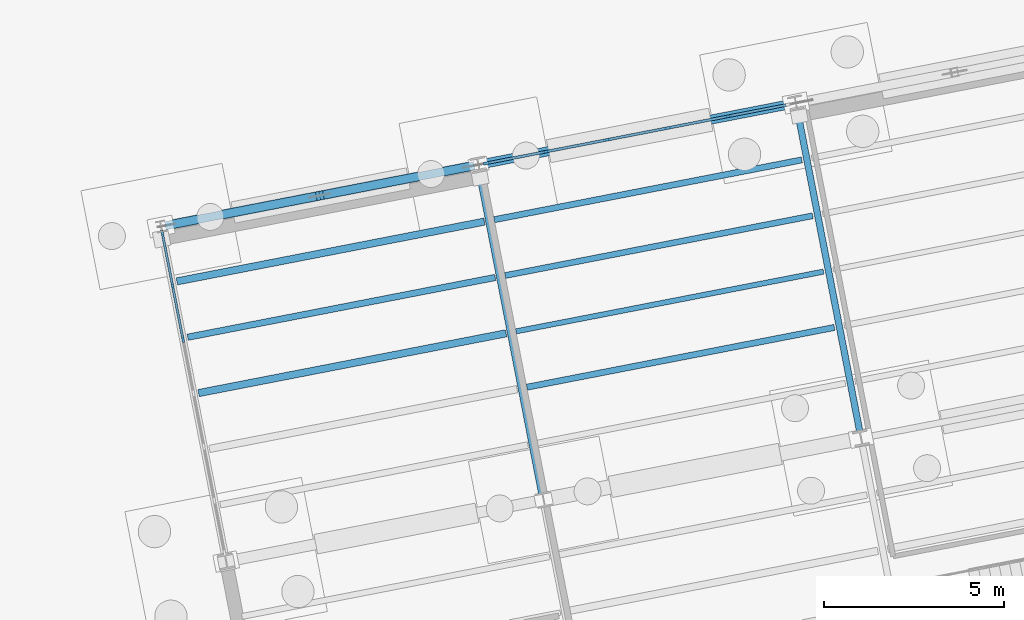
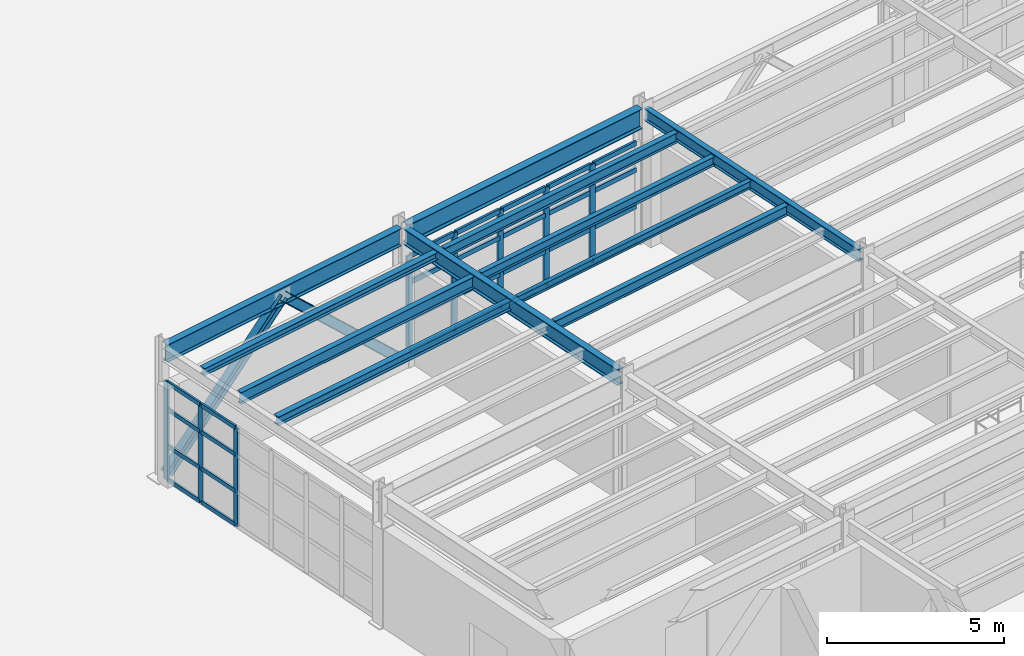
# One storey, part 36 of 108: 38 members, 11 beams, 2 elements without a shape of their own.
"""IFC4 building model written with IfcOpenShell, lengths in metres."""

from ifc_helpers import new_model, si_unit, direction, frame, origin, origin_2d, place, context, subcontext, project, spatial, rectangle, i_section, extrude, material, layer, layer_set, material_profile, profile_set, type_object, element, aggregate, save


model = new_model("IFC4")

# Units and contexts
model_context = context("Model", 3, precision=1e-05, world=origin(), true_north=direction((0.0, 1.0)))
body_context = subcontext(model_context, "Body", "Model", "MODEL_VIEW")
ifc_project = project(units=[si_unit("LENGTHUNIT", "METRE"), si_unit("AREAUNIT", "SQUARE_METRE"), si_unit("VOLUMEUNIT", "CUBIC_METRE"), si_unit("PLANEANGLEUNIT", "RADIAN"), si_unit("MASSUNIT", "GRAM", prefix="KILO")], contexts=[model_context])

# Site, building, storey
site_placement = place(None, origin())
site = spatial("IfcSite", under=ifc_project, at=site_placement, CompositionType="ELEMENT")
building_placement = place(site_placement, origin())
building = spatial("IfcBuilding", under=site, at=building_placement, Name="Vireo Bluff Cable Station", CompositionType="ELEMENT")
storey_placement = place(building_placement, origin())
storey = spatial("IfcBuildingStorey", under=building, at=storey_placement, Name="L00", CompositionType="ELEMENT", Elevation=0.0)

# Beams
ifc_material_1 = material(Name="Steel ASTM A992 Gr. 50", Category="steel")
ifc_material_profile_1 = material_profile(ifc_material_1, i_section(OverallWidth=0.180908203125, OverallDepth=0.4169921875, WebThickness=0.010986328125, FlangeThickness=0.018310546875, FilletRadius=0.010009765625, at=origin_2d()), Name="W16X57")
ifc_profile_set_1 = profile_set([ifc_material_profile_1], Name="Steel ASTM A992 Gr. 50")
beam_type_1 = type_object("IfcBeamType", Name="BM-W16X57", PredefinedType="BEAM", material=ifc_profile_set_1)
beam_1_placement = place(storey_placement, frame((23.52099609375, 27.703369140625, 4.33154296875), z_axis=(-0.190804735679, 0.981628011439, 0.0), x_axis=(-0.981628011439, -0.190804735679, 0.0)))
element("IfcBeam", 1, at=beam_1_placement, inside=storey, type_object=beam_type_1, Name="V5 L00 beam 1114", PredefinedType="BEAM", context=body_context, shape_type="SweptSolid", body=[
    extrude(i_section(OverallWidth=0.180908203125, OverallDepth=0.4169921875, WebThickness=0.010986328125, FlangeThickness=0.018310546875, FilletRadius=0.010009765625, at=origin_2d()), origin(), (0.0, 0.0, 1.0), 9.260009765625),
])
ifc_material_profile_2 = material_profile(ifc_material_1, i_section(OverallWidth=0.214111328125, OverallDepth=0.549072265625, WebThickness=0.0146484375, FlangeThickness=0.023681640625, FilletRadius=0.012939453125, at=origin_2d()), Name="W21X93")
ifc_profile_set_2 = profile_set([ifc_material_profile_2], Name="Steel ASTM A992 Gr. 50")
beam_type_2 = type_object("IfcBeamType", Name="BM-W21X93", PredefinedType="BEAM", material=ifc_profile_set_2)
beam_2_placement = place(storey_placement, frame((14.686279296875, 25.986083984375, 4.265380859375), z_axis=(-0.190804735679, 0.981628011439, 0.0), x_axis=(-0.981628011439, -0.190804735679, 0.0)))
element("IfcBeam", 2, at=beam_2_placement, inside=storey, type_object=beam_type_2, Name="V5 L00 beam 1111", PredefinedType="BEAM", context=body_context, shape_type="SweptSolid", body=[
    extrude(i_section(OverallWidth=0.214111328125, OverallDepth=0.549072265625, WebThickness=0.0146484375, FlangeThickness=0.023681640625, FilletRadius=0.012939453125, at=origin_2d()), origin(), (0.0, 0.0, 1.0), 9.260009765625),
])

# Members
ifc_material_profile_3 = material_profile(ifc_material_1, i_section(OverallWidth=0.25390625, OverallDepth=0.305908203125, WebThickness=0.0087890625, FlangeThickness=0.0146484375, FilletRadius=0.010986328125, at=origin_2d()), Name="W12X53")
ifc_profile_set_3 = profile_set([ifc_material_profile_3], Name="Steel ASTM A992 Gr. 50")
member_type_1 = type_object("IfcMemberType", Name="BRC-04", PredefinedType="BRACE", material=ifc_profile_set_3)
member_1_placement = place(storey_placement, frame((4.218994140625, 33.5068359375, 0.0400390625), z_axis=(0.710296245471, 0.138070192816, 0.690228850111), x_axis=(-0.190812443151, 0.981626513262, 0.0)))
element("IfcMember", 3, at=member_1_placement, inside=storey, type_object=member_type_1, Name="V5 L00 concentric brace 87L", PredefinedType="BRACE", context=body_context, shape_type="SweptSolid", body=[
    extrude(i_section(OverallWidth=0.25390625, OverallDepth=0.305908203125, WebThickness=0.0087890625, FlangeThickness=0.0146484375, FilletRadius=0.010986328125, at=origin_2d()), origin(), (0.0, 0.0, 1.0), 5.997802734375),
])
ifc_material_profile_4 = material_profile(ifc_material_1, i_section(OverallWidth=0.25390625, OverallDepth=0.31005859375, WebThickness=0.009033203125, FlangeThickness=0.016357421875, FilletRadius=0.010986328125, at=origin_2d()), Name="W12X58")
ifc_profile_set_4 = profile_set([ifc_material_profile_4], Name="Steel ASTM A992 Gr. 50")
member_type_2 = type_object("IfcMemberType", Name="BRC-05", PredefinedType="BRACE", material=ifc_profile_set_4)
member_2_placement = place(storey_placement, frame((12.739501953125, 35.1630859375, 0.0400390625), z_axis=(-0.710296245471, -0.138070192816, 0.690228850111), x_axis=(0.190812443151, -0.981626513262, 0.0)))
element("IfcMember", 4, at=member_2_placement, inside=storey, type_object=member_type_2, Name="V5 L00 concentric brace 88R", PredefinedType="BRACE", context=body_context, shape_type="SweptSolid", body=[
    extrude(i_section(OverallWidth=0.25390625, OverallDepth=0.31005859375, WebThickness=0.009033203125, FlangeThickness=0.016357421875, FilletRadius=0.010986328125, at=origin_2d()), origin(), (0.0, 0.0, 1.0), 5.997802734375),
])

# Curtain wall, members
ifc_material_2 = material(Name="Anodized Aluminium 6063-T6", Category="aluminium")
ifc_layer_1 = layer(ifc_material_2, 0.179931640625, Name="Anodized Aluminium 6063-T6")
ifc_layer_set_1 = layer_set([ifc_layer_1], Name="Anodized Aluminium 6063-T6")
curtain_wall_type_1 = type_object("IfcCurtainWallType", Name="CW-UNIT-1500", PredefinedType="USERDEFINED", material=ifc_layer_set_1)
curtain_wall_1_placement = place(storey_placement, origin())
curtain_wall_1 = element("IfcCurtainWall", 5, at=curtain_wall_1_placement, inside=storey, type_object=curtain_wall_type_1, Name="V5 L00 west curtain wall CW-112", ObjectType="UNITISED CURTAIN WALL", PredefinedType="USERDEFINED")
ifc_material_profile_5 = material_profile(ifc_material_2, rectangle(XDim=0.06494140625, YDim=0.179931640625, at=origin_2d()), Name="ALU-M-65X180")
ifc_profile_set_5 = profile_set([ifc_material_profile_5], Name="Anodized Aluminium 6063-T6")
member_type_3 = type_object("IfcMemberType", Name="CWM-01", PredefinedType="MULLION", material=ifc_profile_set_5)
member_3_placement = place(storey_placement, frame((4.672607421875, 30.33544921875, 0.0), z_axis=(0.0, 0.0, 1.0), x_axis=(-0.98162718066, -0.190809009717, 0.0)))
member_3 = element("IfcMember", 6, at=member_3_placement, type_object=member_type_3, Name="CW-112 mullion 5", PredefinedType="MULLION", context=body_context, shape_type="SweptSolid", body=[
    extrude(rectangle(XDim=0.06494140625, YDim=0.179931640625, at=origin_2d()), origin(), (0.0, 0.0, 1.0), 3.39990234375),
])
member_4_placement = place(storey_placement, frame((4.382080078125, 31.829833984375, 0.0), z_axis=(0.0, 0.0, 1.0), x_axis=(-0.98162718066, -0.190809009717, 0.0)))
member_4 = element("IfcMember", 7, at=member_4_placement, type_object=member_type_3, Name="CW-112 mullion 6", PredefinedType="MULLION", context=body_context, shape_type="SweptSolid", body=[
    extrude(rectangle(XDim=0.06494140625, YDim=0.179931640625, at=origin_2d()), origin(), (0.0, 0.0, 1.0), 3.39990234375),
])
member_5_placement = place(storey_placement, frame((4.09765625, 33.292236328125, 0.0), z_axis=(0.0, 0.0, 1.0), x_axis=(-0.98162718066, -0.190809009717, 0.0)))
member_5 = element("IfcMember", 8, at=member_5_placement, type_object=member_type_3, Name="CW-112 mullion 7", PredefinedType="MULLION", context=body_context, shape_type="SweptSolid", body=[
    extrude(rectangle(XDim=0.06494140625, YDim=0.179931640625, at=origin_2d()), origin(), (0.0, 0.0, 1.0), 3.39990234375),
])

ifc_layer_2 = layer(ifc_material_2, 0.179931640625, Name="Anodized Aluminium 6063-T6")
ifc_layer_set_2 = layer_set([ifc_layer_2], Name="Anodized Aluminium 6063-T6")
curtain_wall_type_2 = type_object("IfcCurtainWallType", Name="CW-UNIT-1650", PredefinedType="USERDEFINED", material=ifc_layer_set_2)
curtain_wall_2_placement = place(storey_placement, origin())
curtain_wall_2 = element("IfcCurtainWall", 9, at=curtain_wall_2_placement, inside=storey, type_object=curtain_wall_type_2, Name="V5 L00 north curtain wall CW-113", ObjectType="UNITISED CURTAIN WALL", PredefinedType="USERDEFINED")
ifc_material_profile_6 = material_profile(ifc_material_2, rectangle(XDim=0.074951171875, YDim=0.2099609375, at=origin_2d()), Name="ALU-M-75X210")
ifc_profile_set_6 = profile_set([ifc_material_profile_6], Name="Anodized Aluminium 6063-T6")
member_type_4 = type_object("IfcMemberType", Name="CWM-02", PredefinedType="MULLION", material=ifc_profile_set_6)
member_6_placement = place(storey_placement, frame((13.134521484375, 35.239990234375, 0.0), z_axis=(0.0, 0.0, 1.0), x_axis=(-0.190808975057, 0.981627187397, 0.0)))
member_6 = element("IfcMember", 10, at=member_6_placement, type_object=member_type_4, Name="CW-113 mullion 1", PredefinedType="MULLION", context=body_context, shape_type="SweptSolid", body=[
    extrude(rectangle(XDim=0.074951171875, YDim=0.2099609375, at=origin_2d()), origin(), (0.0, 0.0, 1.0), 3.39990234375),
])
member_7_placement = place(storey_placement, frame((14.78466796875, 35.560791015625, 0.0), z_axis=(0.0, 0.0, 1.0), x_axis=(-0.190808975057, 0.981627187397, 0.0)))
member_7 = element("IfcMember", 11, at=member_7_placement, type_object=member_type_4, Name="CW-113 mullion 2", PredefinedType="MULLION", context=body_context, shape_type="SweptSolid", body=[
    extrude(rectangle(XDim=0.074951171875, YDim=0.2099609375, at=origin_2d()), origin(), (0.0, 0.0, 1.0), 3.39990234375),
])
member_8_placement = place(storey_placement, frame((16.4716796875, 35.888671875, 0.0), z_axis=(0.0, 0.0, 1.0), x_axis=(-0.190808975057, 0.981627187397, 0.0)))
member_8 = element("IfcMember", 12, at=member_8_placement, type_object=member_type_4, Name="CW-113 mullion 3", PredefinedType="MULLION", context=body_context, shape_type="SweptSolid", body=[
    extrude(rectangle(XDim=0.074951171875, YDim=0.2099609375, at=origin_2d()), origin(), (0.0, 0.0, 1.0), 3.39990234375),
])
member_9_placement = place(storey_placement, frame((18.15869140625, 36.216552734375, 0.0), z_axis=(0.0, 0.0, 1.0), x_axis=(-0.190808975057, 0.981627187397, 0.0)))
member_9 = element("IfcMember", 13, at=member_9_placement, type_object=member_type_4, Name="CW-113 mullion 4", PredefinedType="MULLION", context=body_context, shape_type="SweptSolid", body=[
    extrude(rectangle(XDim=0.074951171875, YDim=0.2099609375, at=origin_2d()), origin(), (0.0, 0.0, 1.0), 3.39990234375),
])
member_10_placement = place(storey_placement, frame((19.845458984375, 36.54443359375, 0.0), z_axis=(0.0, 0.0, 1.0), x_axis=(-0.190808975057, 0.981627187397, 0.0)))
member_10 = element("IfcMember", 14, at=member_10_placement, type_object=member_type_4, Name="CW-113 mullion 5", PredefinedType="MULLION", context=body_context, shape_type="SweptSolid", body=[
    extrude(rectangle(XDim=0.074951171875, YDim=0.2099609375, at=origin_2d()), origin(), (0.0, 0.0, 1.0), 3.39990234375),
])

# Member
ifc_material_profile_7 = material_profile(ifc_material_2, rectangle(XDim=0.06494140625, YDim=0.139892578125, at=origin_2d()), Name="ALU-T-65X140")
ifc_profile_set_7 = profile_set([ifc_material_profile_7], Name="Anodized Aluminium 6063-T6")
member_type_5 = type_object("IfcMemberType", Name="CWT-01", PredefinedType="USERDEFINED", material=ifc_profile_set_7)
member_11_placement = place(storey_placement, frame((4.666259765625, 30.3671875, 0.032470703125), z_axis=(-0.190797920453, 0.98162933613, 0.0), x_axis=(-0.98162933613, -0.190797920453, 0.0)))
member_11 = element("IfcMember", 15, at=member_11_placement, type_object=member_type_5, Name="CW-112 transom 5.1", ObjectType="TRANSOM", PredefinedType="USERDEFINED", context=body_context, shape_type="SweptSolid", body=[
    extrude(rectangle(XDim=0.06494140625, YDim=0.139892578125, at=origin_2d()), origin(), (0.0, 0.0, 1.0), 1.45751953125),
])

member_12_placement = place(storey_placement, frame((4.666259765625, 30.3671875, 1.18994140625), z_axis=(-0.190797920453, 0.98162933613, 0.0), x_axis=(-0.98162933613, -0.190797920453, 0.0)))
member_12 = element("IfcMember", 16, at=member_12_placement, type_object=member_type_5, Name="CW-112 transom 5.2", ObjectType="TRANSOM", PredefinedType="USERDEFINED", context=body_context, shape_type="SweptSolid", body=[
    extrude(rectangle(XDim=0.06494140625, YDim=0.139892578125, at=origin_2d()), origin(), (0.0, 0.0, 1.0), 1.45751953125),
])

member_13_placement = place(storey_placement, frame((4.666259765625, 30.3671875, 2.447998046875), z_axis=(-0.190797920453, 0.98162933613, 0.0), x_axis=(-0.98162933613, -0.190797920453, 0.0)))
member_13 = element("IfcMember", 17, at=member_13_placement, type_object=member_type_5, Name="CW-112 transom 5.3", ObjectType="TRANSOM", PredefinedType="USERDEFINED", context=body_context, shape_type="SweptSolid", body=[
    extrude(rectangle(XDim=0.06494140625, YDim=0.139892578125, at=origin_2d()), origin(), (0.0, 0.0, 1.0), 1.45751953125),
])

member_14_placement = place(storey_placement, frame((4.666259765625, 30.3671875, 3.367431640625), z_axis=(-0.190797920453, 0.98162933613, 0.0), x_axis=(-0.98162933613, -0.190797920453, 0.0)))
member_14 = element("IfcMember", 18, at=member_14_placement, type_object=member_type_5, Name="CW-112 transom 5.4", ObjectType="TRANSOM", PredefinedType="USERDEFINED", context=body_context, shape_type="SweptSolid", body=[
    extrude(rectangle(XDim=0.06494140625, YDim=0.139892578125, at=origin_2d()), origin(), (0.0, 0.0, 1.0), 1.45751953125),
])

member_15_placement = place(storey_placement, frame((4.375732421875, 31.861572265625, 0.032470703125), z_axis=(-0.190677065841, 0.981652818751, 0.0), x_axis=(-0.981652818751, -0.190677065841, 0.0)))
member_15 = element("IfcMember", 19, at=member_15_placement, type_object=member_type_5, Name="CW-112 transom 6.1", ObjectType="TRANSOM", PredefinedType="USERDEFINED", context=body_context, shape_type="SweptSolid", body=[
    extrude(rectangle(XDim=0.06494140625, YDim=0.139892578125, at=origin_2d()), origin(), (0.0, 0.0, 1.0), 1.425048828125),
])

member_16_placement = place(storey_placement, frame((4.375732421875, 31.861572265625, 1.18994140625), z_axis=(-0.190677065841, 0.981652818751, 0.0), x_axis=(-0.981652818751, -0.190677065841, 0.0)))
member_16 = element("IfcMember", 20, at=member_16_placement, type_object=member_type_5, Name="CW-112 transom 6.2", ObjectType="TRANSOM", PredefinedType="USERDEFINED", context=body_context, shape_type="SweptSolid", body=[
    extrude(rectangle(XDim=0.06494140625, YDim=0.139892578125, at=origin_2d()), origin(), (0.0, 0.0, 1.0), 1.425048828125),
])

member_17_placement = place(storey_placement, frame((4.375732421875, 31.861572265625, 2.447998046875), z_axis=(-0.190677065841, 0.981652818751, 0.0), x_axis=(-0.981652818751, -0.190677065841, 0.0)))
member_17 = element("IfcMember", 21, at=member_17_placement, type_object=member_type_5, Name="CW-112 transom 6.3", ObjectType="TRANSOM", PredefinedType="USERDEFINED", context=body_context, shape_type="SweptSolid", body=[
    extrude(rectangle(XDim=0.06494140625, YDim=0.139892578125, at=origin_2d()), origin(), (0.0, 0.0, 1.0), 1.425048828125),
])

member_18_placement = place(storey_placement, frame((4.375732421875, 31.861572265625, 3.367431640625), z_axis=(-0.190677065841, 0.981652818751, 0.0), x_axis=(-0.981652818751, -0.190677065841, 0.0)))
member_18 = element("IfcMember", 22, at=member_18_placement, type_object=member_type_5, Name="CW-112 transom 6.4", ObjectType="TRANSOM", PredefinedType="USERDEFINED", context=body_context, shape_type="SweptSolid", body=[
    extrude(rectangle(XDim=0.06494140625, YDim=0.139892578125, at=origin_2d()), origin(), (0.0, 0.0, 1.0), 1.425048828125),
])

aggregate(curtain_wall_1, [member_3, member_4, member_5, member_11, member_12, member_13, member_14, member_15, member_16, member_17, member_18])

ifc_material_profile_8 = material_profile(ifc_material_2, rectangle(XDim=0.074951171875, YDim=0.159912109375, at=origin_2d()), Name="ALU-T-75X160")
ifc_profile_set_8 = profile_set([ifc_material_profile_8], Name="Anodized Aluminium 6063-T6")
member_type_6 = type_object("IfcMemberType", Name="CWT-02", PredefinedType="USERDEFINED", material=ifc_profile_set_8)
member_19_placement = place(storey_placement, frame((13.17138671875, 35.2470703125, 0.03759765625), z_axis=(0.981635952417, 0.190763877405, 0.0), x_axis=(-0.190763877405, 0.981635952417, 0.0)))
member_19 = element("IfcMember", 23, at=member_19_placement, type_object=member_type_6, Name="CW-113 transom 1.1", ObjectType="TRANSOM", PredefinedType="USERDEFINED", context=body_context, shape_type="SweptSolid", body=[
    extrude(rectangle(XDim=0.074951171875, YDim=0.159912109375, at=origin_2d()), origin(), (0.0, 0.0, 1.0), 1.606201171875),
])

member_20_placement = place(storey_placement, frame((13.17138671875, 35.2470703125, 1.18994140625), z_axis=(0.981635952417, 0.190763877405, 0.0), x_axis=(-0.190763877405, 0.981635952417, 0.0)))
member_20 = element("IfcMember", 24, at=member_20_placement, type_object=member_type_6, Name="CW-113 transom 1.2", ObjectType="TRANSOM", PredefinedType="USERDEFINED", context=body_context, shape_type="SweptSolid", body=[
    extrude(rectangle(XDim=0.074951171875, YDim=0.159912109375, at=origin_2d()), origin(), (0.0, 0.0, 1.0), 1.606201171875),
])

member_21_placement = place(storey_placement, frame((13.17138671875, 35.2470703125, 2.447998046875), z_axis=(0.981635952417, 0.190763877405, 0.0), x_axis=(-0.190763877405, 0.981635952417, 0.0)))
member_21 = element("IfcMember", 25, at=member_21_placement, type_object=member_type_6, Name="CW-113 transom 1.3", ObjectType="TRANSOM", PredefinedType="USERDEFINED", context=body_context, shape_type="SweptSolid", body=[
    extrude(rectangle(XDim=0.074951171875, YDim=0.159912109375, at=origin_2d()), origin(), (0.0, 0.0, 1.0), 1.606201171875),
])

member_22_placement = place(storey_placement, frame((13.17138671875, 35.2470703125, 3.362548828125), z_axis=(0.981635952417, 0.190763877405, 0.0), x_axis=(-0.190763877405, 0.981635952417, 0.0)))
member_22 = element("IfcMember", 26, at=member_22_placement, type_object=member_type_6, Name="CW-113 transom 1.4", ObjectType="TRANSOM", PredefinedType="USERDEFINED", context=body_context, shape_type="SweptSolid", body=[
    extrude(rectangle(XDim=0.074951171875, YDim=0.159912109375, at=origin_2d()), origin(), (0.0, 0.0, 1.0), 1.606201171875),
])

member_23_placement = place(storey_placement, frame((14.821533203125, 35.56787109375, 0.03759765625), z_axis=(0.981640121895, 0.19074242078, 0.0), x_axis=(-0.19074242078, 0.981640121895, 0.0)))
member_23 = element("IfcMember", 27, at=member_23_placement, type_object=member_type_6, Name="CW-113 transom 2.1", ObjectType="TRANSOM", PredefinedType="USERDEFINED", context=body_context, shape_type="SweptSolid", body=[
    extrude(rectangle(XDim=0.074951171875, YDim=0.159912109375, at=origin_2d()), origin(), (0.0, 0.0, 1.0), 1.6435546875),
])

member_24_placement = place(storey_placement, frame((14.821533203125, 35.56787109375, 1.18994140625), z_axis=(0.981640121895, 0.19074242078, 0.0), x_axis=(-0.19074242078, 0.981640121895, 0.0)))
member_24 = element("IfcMember", 28, at=member_24_placement, type_object=member_type_6, Name="CW-113 transom 2.2", ObjectType="TRANSOM", PredefinedType="USERDEFINED", context=body_context, shape_type="SweptSolid", body=[
    extrude(rectangle(XDim=0.074951171875, YDim=0.159912109375, at=origin_2d()), origin(), (0.0, 0.0, 1.0), 1.6435546875),
])

member_25_placement = place(storey_placement, frame((14.821533203125, 35.56787109375, 2.447998046875), z_axis=(0.981640121895, 0.19074242078, 0.0), x_axis=(-0.19074242078, 0.981640121895, 0.0)))
member_25 = element("IfcMember", 29, at=member_25_placement, type_object=member_type_6, Name="CW-113 transom 2.3", ObjectType="TRANSOM", PredefinedType="USERDEFINED", context=body_context, shape_type="SweptSolid", body=[
    extrude(rectangle(XDim=0.074951171875, YDim=0.159912109375, at=origin_2d()), origin(), (0.0, 0.0, 1.0), 1.6435546875),
])

member_26_placement = place(storey_placement, frame((14.821533203125, 35.56787109375, 3.362548828125), z_axis=(0.981640121895, 0.19074242078, 0.0), x_axis=(-0.19074242078, 0.981640121895, 0.0)))
member_26 = element("IfcMember", 30, at=member_26_placement, type_object=member_type_6, Name="CW-113 transom 2.4", ObjectType="TRANSOM", PredefinedType="USERDEFINED", context=body_context, shape_type="SweptSolid", body=[
    extrude(rectangle(XDim=0.074951171875, YDim=0.159912109375, at=origin_2d()), origin(), (0.0, 0.0, 1.0), 1.6435546875),
])

member_27_placement = place(storey_placement, frame((16.508544921875, 35.895751953125, 0.03759765625), z_axis=(0.981640121895, 0.19074242078, 0.0), x_axis=(-0.19074242078, 0.981640121895, 0.0)))
member_27 = element("IfcMember", 31, at=member_27_placement, type_object=member_type_6, Name="CW-113 transom 3.1", ObjectType="TRANSOM", PredefinedType="USERDEFINED", context=body_context, shape_type="SweptSolid", body=[
    extrude(rectangle(XDim=0.074951171875, YDim=0.159912109375, at=origin_2d()), origin(), (0.0, 0.0, 1.0), 1.6435546875),
])

member_28_placement = place(storey_placement, frame((16.508544921875, 35.895751953125, 1.18994140625), z_axis=(0.981640121895, 0.19074242078, 0.0), x_axis=(-0.19074242078, 0.981640121895, 0.0)))
member_28 = element("IfcMember", 32, at=member_28_placement, type_object=member_type_6, Name="CW-113 transom 3.2", ObjectType="TRANSOM", PredefinedType="USERDEFINED", context=body_context, shape_type="SweptSolid", body=[
    extrude(rectangle(XDim=0.074951171875, YDim=0.159912109375, at=origin_2d()), origin(), (0.0, 0.0, 1.0), 1.6435546875),
])

member_29_placement = place(storey_placement, frame((16.508544921875, 35.895751953125, 2.447998046875), z_axis=(0.981640121895, 0.19074242078, 0.0), x_axis=(-0.19074242078, 0.981640121895, 0.0)))
member_29 = element("IfcMember", 33, at=member_29_placement, type_object=member_type_6, Name="CW-113 transom 3.3", ObjectType="TRANSOM", PredefinedType="USERDEFINED", context=body_context, shape_type="SweptSolid", body=[
    extrude(rectangle(XDim=0.074951171875, YDim=0.159912109375, at=origin_2d()), origin(), (0.0, 0.0, 1.0), 1.6435546875),
])

member_30_placement = place(storey_placement, frame((16.508544921875, 35.895751953125, 3.362548828125), z_axis=(0.981640121895, 0.19074242078, 0.0), x_axis=(-0.19074242078, 0.981640121895, 0.0)))
member_30 = element("IfcMember", 34, at=member_30_placement, type_object=member_type_6, Name="CW-113 transom 3.4", ObjectType="TRANSOM", PredefinedType="USERDEFINED", context=body_context, shape_type="SweptSolid", body=[
    extrude(rectangle(XDim=0.074951171875, YDim=0.159912109375, at=origin_2d()), origin(), (0.0, 0.0, 1.0), 1.6435546875),
])

member_31_placement = place(storey_placement, frame((18.1953125, 36.2236328125, 0.03759765625), z_axis=(0.981612297068, 0.190885563216, 0.0), x_axis=(-0.190885563216, 0.981612297068, 0.0)))
member_31 = element("IfcMember", 35, at=member_31_placement, type_object=member_type_6, Name="CW-113 transom 4.1", ObjectType="TRANSOM", PredefinedType="USERDEFINED", context=body_context, shape_type="SweptSolid", body=[
    extrude(rectangle(XDim=0.074951171875, YDim=0.159912109375, at=origin_2d()), origin(), (0.0, 0.0, 1.0), 1.6435546875),
])

member_32_placement = place(storey_placement, frame((18.1953125, 36.2236328125, 1.18994140625), z_axis=(0.981612297068, 0.190885563216, 0.0), x_axis=(-0.190885563216, 0.981612297068, 0.0)))
member_32 = element("IfcMember", 36, at=member_32_placement, type_object=member_type_6, Name="CW-113 transom 4.2", ObjectType="TRANSOM", PredefinedType="USERDEFINED", context=body_context, shape_type="SweptSolid", body=[
    extrude(rectangle(XDim=0.074951171875, YDim=0.159912109375, at=origin_2d()), origin(), (0.0, 0.0, 1.0), 1.6435546875),
])

member_33_placement = place(storey_placement, frame((18.1953125, 36.2236328125, 2.447998046875), z_axis=(0.981612297068, 0.190885563216, 0.0), x_axis=(-0.190885563216, 0.981612297068, 0.0)))
member_33 = element("IfcMember", 37, at=member_33_placement, type_object=member_type_6, Name="CW-113 transom 4.3", ObjectType="TRANSOM", PredefinedType="USERDEFINED", context=body_context, shape_type="SweptSolid", body=[
    extrude(rectangle(XDim=0.074951171875, YDim=0.159912109375, at=origin_2d()), origin(), (0.0, 0.0, 1.0), 1.6435546875),
])

member_34_placement = place(storey_placement, frame((18.1953125, 36.2236328125, 3.362548828125), z_axis=(0.981612297068, 0.190885563216, 0.0), x_axis=(-0.190885563216, 0.981612297068, 0.0)))
member_34 = element("IfcMember", 38, at=member_34_placement, type_object=member_type_6, Name="CW-113 transom 4.4", ObjectType="TRANSOM", PredefinedType="USERDEFINED", context=body_context, shape_type="SweptSolid", body=[
    extrude(rectangle(XDim=0.074951171875, YDim=0.159912109375, at=origin_2d()), origin(), (0.0, 0.0, 1.0), 1.6435546875),
])

member_35_placement = place(storey_placement, frame((19.88232421875, 36.551513671875, 0.03759765625), z_axis=(0.981630419656, 0.190792345775, 0.0), x_axis=(-0.190792345775, 0.981630419656, 0.0)))
member_35 = element("IfcMember", 39, at=member_35_placement, type_object=member_type_6, Name="CW-113 transom 5.1", ObjectType="TRANSOM", PredefinedType="USERDEFINED", context=body_context, shape_type="SweptSolid", body=[
    extrude(rectangle(XDim=0.074951171875, YDim=0.159912109375, at=origin_2d()), origin(), (0.0, 0.0, 1.0), 1.60595703125),
])

member_36_placement = place(storey_placement, frame((19.88232421875, 36.551513671875, 1.18994140625), z_axis=(0.981630419656, 0.190792345775, 0.0), x_axis=(-0.190792345775, 0.981630419656, 0.0)))
member_36 = element("IfcMember", 40, at=member_36_placement, type_object=member_type_6, Name="CW-113 transom 5.2", ObjectType="TRANSOM", PredefinedType="USERDEFINED", context=body_context, shape_type="SweptSolid", body=[
    extrude(rectangle(XDim=0.074951171875, YDim=0.159912109375, at=origin_2d()), origin(), (0.0, 0.0, 1.0), 1.60595703125),
])

member_37_placement = place(storey_placement, frame((19.88232421875, 36.551513671875, 2.447998046875), z_axis=(0.981630419656, 0.190792345775, 0.0), x_axis=(-0.190792345775, 0.981630419656, 0.0)))
member_37 = element("IfcMember", 41, at=member_37_placement, type_object=member_type_6, Name="CW-113 transom 5.3", ObjectType="TRANSOM", PredefinedType="USERDEFINED", context=body_context, shape_type="SweptSolid", body=[
    extrude(rectangle(XDim=0.074951171875, YDim=0.159912109375, at=origin_2d()), origin(), (0.0, 0.0, 1.0), 1.60595703125),
])

member_38_placement = place(storey_placement, frame((19.88232421875, 36.551513671875, 3.362548828125), z_axis=(0.981630419656, 0.190792345775, 0.0), x_axis=(-0.190792345775, 0.981630419656, 0.0)))
member_38 = element("IfcMember", 42, at=member_38_placement, type_object=member_type_6, Name="CW-113 transom 5.4", ObjectType="TRANSOM", PredefinedType="USERDEFINED", context=body_context, shape_type="SweptSolid", body=[
    extrude(rectangle(XDim=0.074951171875, YDim=0.159912109375, at=origin_2d()), origin(), (0.0, 0.0, 1.0), 1.60595703125),
])

aggregate(curtain_wall_2, [member_6, member_7, member_8, member_9, member_10, member_19, member_20, member_21, member_22, member_23, member_24, member_25, member_26, member_27, member_28, member_29, member_30, member_31, member_32, member_33, member_34, member_35, member_36, member_37, member_38])

# Beams
ifc_material_profile_9 = material_profile(ifc_material_1, i_section(OverallWidth=0.14599609375, OverallDepth=0.259033203125, WebThickness=0.006103515625, FlangeThickness=0.009033203125, FilletRadius=0.009033203125, at=origin_2d()), Name="W10X22")
ifc_profile_set_9 = profile_set([ifc_material_profile_9], Name="Steel ASTM A992 Gr. 50")
beam_type_3 = type_object("IfcBeamType", Name="JST-W10X22", PredefinedType="JOIST", material=ifc_profile_set_9)
beam_3_placement = place(storey_placement, frame((13.9404296875, 30.5576171875, 4.410400390625), z_axis=(0.981628064538, 0.190804462503, 0.0), x_axis=(-0.190804462503, 0.981628064538, 0.0)))
element("IfcBeam", 43, at=beam_3_placement, inside=storey, type_object=beam_type_3, Name="V5 L00 composite joist 1143", PredefinedType="JOIST", context=body_context, shape_type="SweptSolid", body=[
    extrude(i_section(OverallWidth=0.14599609375, OverallDepth=0.259033203125, WebThickness=0.006103515625, FlangeThickness=0.009033203125, FilletRadius=0.009033203125, at=origin_2d()), origin(), (0.0, 0.0, 1.0), 8.719970703125),
])
ifc_material_profile_10 = material_profile(ifc_material_1, i_section(OverallWidth=0.201904296875, OverallDepth=0.2470703125, WebThickness=0.00732421875, FlangeThickness=0.010986328125, FilletRadius=0.009033203125, at=origin_2d()), Name="W10X33")
ifc_profile_set_10 = profile_set([ifc_material_profile_10], Name="Steel ASTM A992 Gr. 50")
beam_type_4 = type_object("IfcBeamType", Name="JST-W10X33", PredefinedType="JOIST", material=ifc_profile_set_10)
beam_4_placement = place(storey_placement, frame((4.50146484375, 31.94873046875, 4.41650390625), z_axis=(0.98162282025, 0.190831440713, 0.0), x_axis=(-0.190831440713, 0.98162282025, 0.0)))
element("IfcBeam", 44, at=beam_4_placement, inside=storey, type_object=beam_type_4, Name="V5 L00 composite joist 1130", PredefinedType="JOIST", context=body_context, shape_type="SweptSolid", body=[
    extrude(i_section(OverallWidth=0.201904296875, OverallDepth=0.2470703125, WebThickness=0.00732421875, FlangeThickness=0.010986328125, FilletRadius=0.009033203125, at=origin_2d()), origin(), (0.0, 0.0, 1.0), 8.719970703125),
])
ifc_material_profile_11 = material_profile(ifc_material_1, i_section(OverallWidth=0.1650390625, OverallDepth=0.31005859375, WebThickness=0.005859375, FlangeThickness=0.009765625, FilletRadius=0.010009765625, at=origin_2d()), Name="W12X26")
ifc_profile_set_11 = profile_set([ifc_material_profile_11], Name="Steel ASTM A992 Gr. 50")
beam_type_5 = type_object("IfcBeamType", Name="JST-W12X26", PredefinedType="JOIST", material=ifc_profile_set_11)
beam_5_placement = place(storey_placement, frame((13.63818359375, 32.11181640625, 4.385009765625), z_axis=(0.981628064538, 0.190804462503, 0.0), x_axis=(-0.190804462503, 0.981628064538, 0.0)))
element("IfcBeam", 45, at=beam_5_placement, inside=storey, type_object=beam_type_5, Name="V5 L00 composite joist 1144", PredefinedType="JOIST", context=body_context, shape_type="SweptSolid", body=[
    extrude(i_section(OverallWidth=0.1650390625, OverallDepth=0.31005859375, WebThickness=0.005859375, FlangeThickness=0.009765625, FilletRadius=0.010009765625, at=origin_2d()), origin(), (0.0, 0.0, 1.0), 8.719970703125),
])
ifc_material_profile_12 = material_profile(ifc_material_1, i_section(OverallWidth=0.202880859375, OverallDepth=0.302978515625, WebThickness=0.007568359375, FlangeThickness=0.01318359375, FilletRadius=0.010009765625, at=origin_2d()), Name="W12X40")
ifc_profile_set_12 = profile_set([ifc_material_profile_12], Name="Steel ASTM A992 Gr. 50")
beam_type_6 = type_object("IfcBeamType", Name="JST-W12X40", PredefinedType="JOIST", material=ifc_profile_set_12)
beam_6_placement = place(storey_placement, frame((5.105712890625, 28.84033203125, 4.388427734375), z_axis=(0.981628064538, 0.190804462503, 0.0), x_axis=(-0.190804462503, 0.981628064538, 0.0)))
element("IfcBeam", 46, at=beam_6_placement, inside=storey, type_object=beam_type_6, Name="V5 L00 composite joist 1128", PredefinedType="JOIST", context=body_context, shape_type="SweptSolid", body=[
    extrude(i_section(OverallWidth=0.202880859375, OverallDepth=0.302978515625, WebThickness=0.007568359375, FlangeThickness=0.01318359375, FilletRadius=0.010009765625, at=origin_2d()), origin(), (0.0, 0.0, 1.0), 8.719970703125),
])
ifc_material_profile_13 = material_profile(ifc_material_1, i_section(OverallWidth=0.1708984375, OverallDepth=0.35107421875, WebThickness=0.0068359375, FlangeThickness=0.009765625, FilletRadius=0.010009765625, at=origin_2d()), Name="W14X30")
ifc_profile_set_13 = profile_set([ifc_material_profile_13], Name="Steel ASTM A992 Gr. 50")
beam_type_7 = type_object("IfcBeamType", Name="JST-W14X30", PredefinedType="JOIST", material=ifc_profile_set_13)
for number, where, z_axis, x_axis, name in (
    (47, (14.242431640625, 29.00341796875, 4.364501953125), (0.981628064538, 0.190804462503, 0.0), (-0.190804462503, 0.981628064538, 0.0), "V5 L00 composite joist 1142"),
    (48, (13.336181640625, 33.666015625, 4.364501953125), (0.98162282025, 0.190831440713, 0.0), (-0.190831440713, 0.98162282025, 0.0), "V5 L00 composite joist 1145"),
):
    element("IfcBeam", number, at=place(storey_placement, frame(where, z_axis=z_axis, x_axis=x_axis)), inside=storey, type_object=beam_type_7, Name=name, PredefinedType="JOIST", context=body_context, shape_type="SweptSolid", body=[
        extrude(i_section(OverallWidth=0.1708984375, OverallDepth=0.35107421875, WebThickness=0.0068359375, FlangeThickness=0.009765625, FilletRadius=0.010009765625, at=origin_2d()), origin(), (0.0, 0.0, 1.0), 8.719970703125),
    ])
ifc_material_profile_14 = material_profile(ifc_material_1, i_section(OverallWidth=0.177978515625, OverallDepth=0.404052734375, WebThickness=0.007568359375, FlangeThickness=0.010986328125, FilletRadius=0.010009765625, at=origin_2d()), Name="W16X36")
ifc_profile_set_14 = profile_set([ifc_material_profile_14], Name="Steel ASTM A992 Gr. 50")
beam_type_8 = type_object("IfcBeamType", Name="JST-W16X36", PredefinedType="JOIST", material=ifc_profile_set_14)
beam_7_placement = place(storey_placement, frame((4.8037109375, 30.39453125, 4.337890625), z_axis=(0.981627045201, 0.19080970659, 0.0), x_axis=(-0.19080970659, 0.981627045201, 0.0)))
element("IfcBeam", 49, at=beam_7_placement, inside=storey, type_object=beam_type_8, Name="V5 L00 composite joist 1129", PredefinedType="JOIST", context=body_context, shape_type="SweptSolid", body=[
    extrude(i_section(OverallWidth=0.177978515625, OverallDepth=0.404052734375, WebThickness=0.007568359375, FlangeThickness=0.010986328125, FilletRadius=0.010009765625, at=origin_2d()), origin(), (0.0, 0.0, 1.0), 8.7197265625),
])
ifc_material_profile_15 = material_profile(ifc_material_1, i_section(OverallWidth=0.22802734375, OverallDepth=0.60693359375, WebThickness=0.01123046875, FlangeThickness=0.017333984375, FilletRadius=0.012939453125, at=origin_2d()), Name="W24X76")
ifc_profile_set_15 = profile_set([ifc_material_profile_15], Name="Steel ASTM A992 Gr. 50")
beam_type_9 = type_object("IfcBeamType", Name="SPN-W24X76", PredefinedType="SPANDREL", material=ifc_profile_set_15)
beam_8_placement = place(storey_placement, frame((4.1796875, 33.499267578125, 4.236572265625), z_axis=(0.981629601573, 0.190796554777, 0.0), x_axis=(-0.190796554777, 0.981629601573, 0.0)))
element("IfcBeam", 50, at=beam_8_placement, inside=storey, type_object=beam_type_9, Name="V5 L00 spandrel 1102", PredefinedType="SPANDREL", context=body_context, shape_type="SweptSolid", body=[
    extrude(i_section(OverallWidth=0.22802734375, OverallDepth=0.60693359375, WebThickness=0.01123046875, FlangeThickness=0.017333984375, FilletRadius=0.012939453125, at=origin_2d()), origin(), (0.0, 0.0, 1.0), 8.760009765625),
])
ifc_material_profile_16 = material_profile(ifc_material_1, i_section(OverallWidth=0.257080078125, OverallDepth=0.693115234375, WebThickness=0.014404296875, FlangeThickness=0.023681640625, FilletRadius=0.014892578125, at=origin_2d()), Name="W27X114")
ifc_profile_set_16 = profile_set([ifc_material_profile_16], Name="Steel ASTM A992 Gr. 50")
beam_type_10 = type_object("IfcBeamType", Name="SPN-W27X114", PredefinedType="SPANDREL", material=ifc_profile_set_16)
beam_9_placement = place(storey_placement, frame((13.014404296875, 35.216552734375, 4.193603515625), z_axis=(0.981629601573, 0.190796554777, 0.0), x_axis=(-0.190796554777, 0.981629601573, 0.0)))
element("IfcBeam", 51, at=beam_9_placement, inside=storey, type_object=beam_type_10, Name="V5 L00 spandrel 1103", PredefinedType="SPANDREL", context=body_context, shape_type="SweptSolid", body=[
    extrude(i_section(OverallWidth=0.257080078125, OverallDepth=0.693115234375, WebThickness=0.014404296875, FlangeThickness=0.023681640625, FilletRadius=0.014892578125, at=origin_2d()), origin(), (0.0, 0.0, 1.0), 8.760009765625),
])

save(model, "model.ifc")
